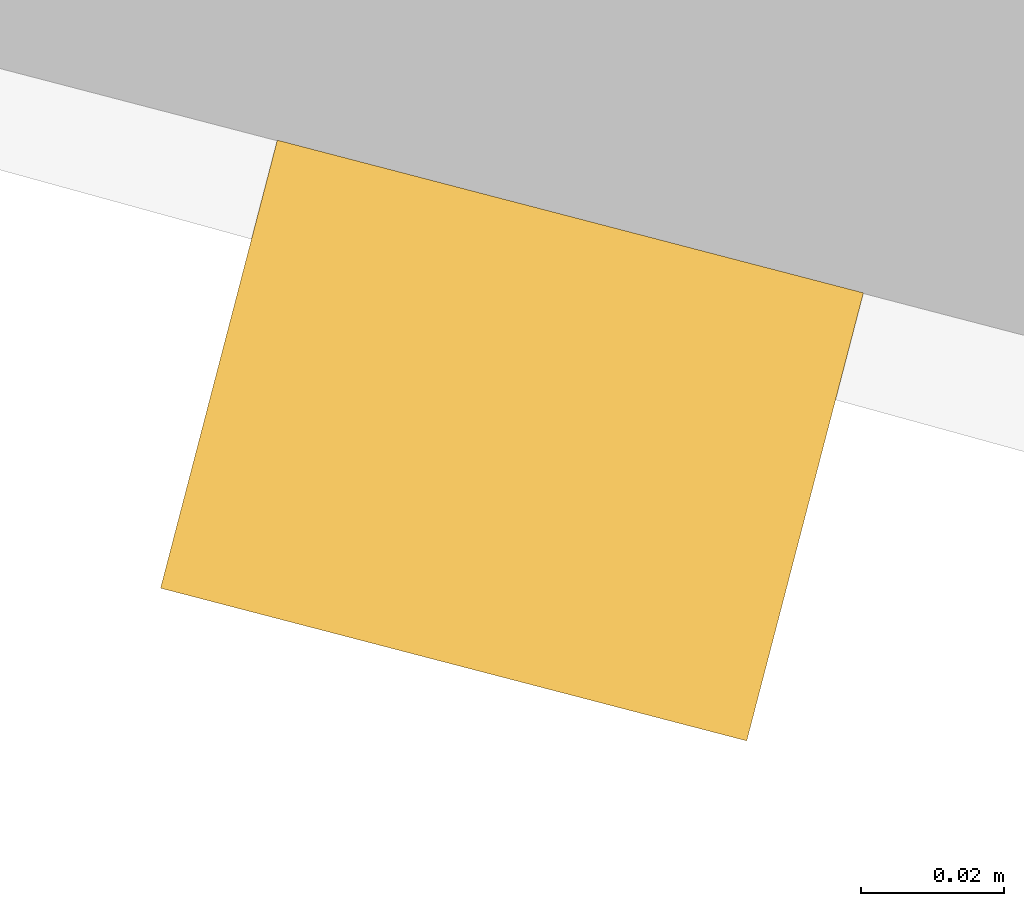
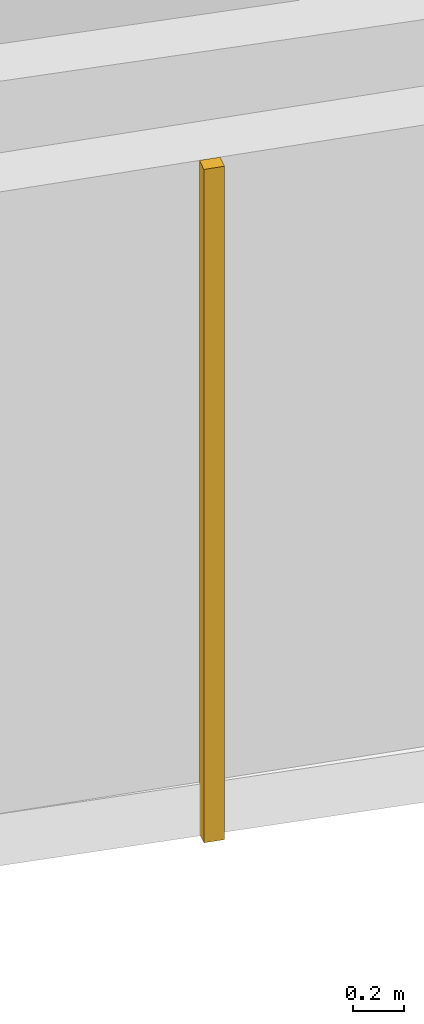
# One storey, part 29 of 45: 1 covering.
"""IFC4 building model written with IfcOpenShell, lengths in metres."""

from ifc_helpers import new_model, si_unit, direction, frame, origin, origin_2d, place, context, subcontext, project, spatial, rectangle, extrude, material, layer, layer_set, type_object, element, save


model = new_model("IFC4")

# Units and contexts
model_context = context("Model", 3, precision=1e-05, world=origin(), true_north=direction((0.0, 1.0)))
body_context = subcontext(model_context, "Body", "Model", "MODEL_VIEW")
ifc_project = project(units=[si_unit("LENGTHUNIT", "METRE"), si_unit("AREAUNIT", "SQUARE_METRE"), si_unit("VOLUMEUNIT", "CUBIC_METRE"), si_unit("PLANEANGLEUNIT", "RADIAN"), si_unit("MASSUNIT", "GRAM", prefix="KILO")], contexts=[model_context])

# Site, building, storey
site_placement = place(None, origin())
site = spatial("IfcSite", under=ifc_project, at=site_placement, CompositionType="ELEMENT")
building_placement = place(site_placement, origin())
building = spatial("IfcBuilding", under=site, at=building_placement, Name="Kestramere Prow Commons", CompositionType="ELEMENT")
storey_placement = place(building_placement, frame((0.0, 0.0, 31.14990234375)))
storey = spatial("IfcBuildingStorey", under=building, at=storey_placement, Name="L09", CompositionType="ELEMENT", Elevation=31.14990234375)

# Covering
ifc_material = material(Name="Weathered Zinc-Titanium Standing-Seam Cladding")
ifc_layer = layer(ifc_material, 0.074951171875)
ifc_layer_set = layer_set([ifc_layer], Name="Weathered Zinc-Titanium Standing-Seam Cladding")
covering_type = type_object("IfcCoveringType", Name="COV-CLAD-SEAM", PredefinedType="CLADDING", material=ifc_layer_set)
covering_placement = place(storey_placement, frame((9.367431640625, 71.602783203125, -0.25), z_axis=(0.0, 0.0, 1.0), x_axis=(-0.96769817096, 0.252111582281, 0.0)))
element("IfcCovering", 1, at=covering_placement, inside=storey, type_object=covering_type, Name="EW-A-L09-PRW-S Standing-Seam Rib 1", PredefinedType="CLADDING", context=body_context, shape_type="SweptSolid", body=[
    extrude(rectangle(XDim=0.0849609375, YDim=0.06494140625, at=origin_2d()), origin(), (0.0, 0.0, 1.0), 3.25),
])

save(model, "model.ifc")
